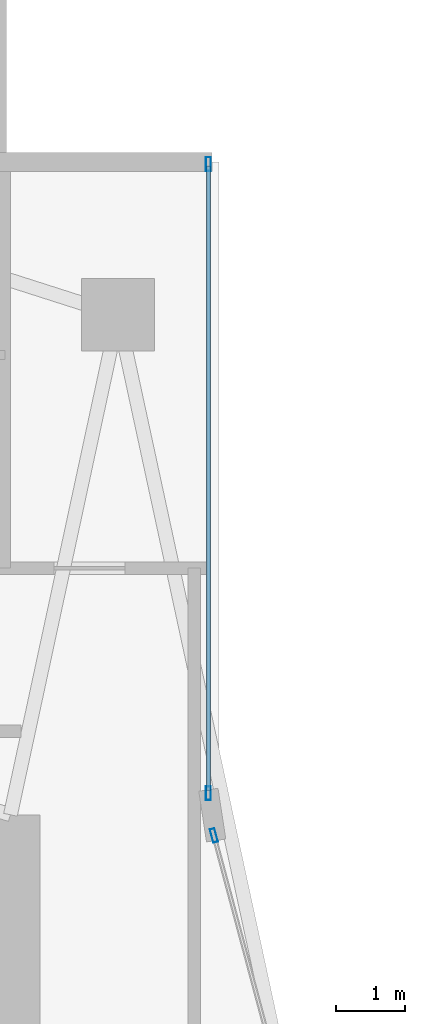
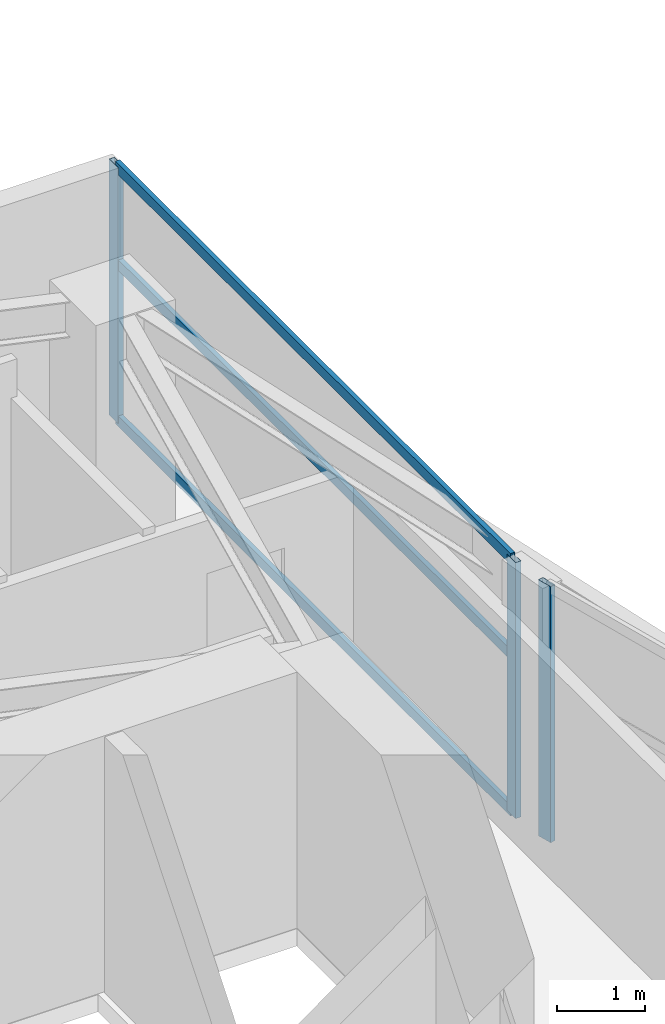
# One storey, part 18 of 28: 6 members, 2 elements without a shape of their own.
"""IFC4 building model written with IfcOpenShell, lengths in metres."""

from ifc_helpers import new_model, si_unit, direction, frame, origin, origin_2d, place, context, subcontext, project, spatial, hollow_rectangle, extrude, material, layer, layer_set, material_profile, profile_set, type_object, element, aggregate, save


model = new_model("IFC4")

# Units and contexts
model_context = context("Model", 3, precision=1e-05, world=origin(), true_north=direction((0.0, 1.0)))
body_context = subcontext(model_context, "Body", "Model", "MODEL_VIEW")
ifc_project = project(units=[si_unit("LENGTHUNIT", "METRE"), si_unit("AREAUNIT", "SQUARE_METRE"), si_unit("VOLUMEUNIT", "CUBIC_METRE"), si_unit("PLANEANGLEUNIT", "RADIAN"), si_unit("MASSUNIT", "GRAM", prefix="KILO")], contexts=[model_context])

# Site, building, storey
site_placement = place(None, origin())
site = spatial("IfcSite", under=ifc_project, at=site_placement, CompositionType="ELEMENT")
building_placement = place(site_placement, origin())
building = spatial("IfcBuilding", under=site, at=building_placement, Name="Calvorn Quay Hotel", CompositionType="ELEMENT")
storey_placement = place(building_placement, frame((0.0, 0.0, 159.89990234375)))
storey = spatial("IfcBuildingStorey", under=building, at=storey_placement, Name="L39", CompositionType="ELEMENT", Elevation=159.89990234375)

# Curtain wall, member
ifc_material_1 = material(Name="Pale Anodised Aluminium and Low-E Glass", Category="aluminium")
ifc_layer = layer(ifc_material_1, 0.219970703125)
ifc_layer_set = layer_set([ifc_layer], Name="CW-SYS-Z2")
curtain_wall_type = type_object("IfcCurtainWallType", Name="CW-SYS-Z2", PredefinedType="NOTDEFINED", material=ifc_layer_set)
curtain_wall_1_placement = place(storey_placement, origin())
curtain_wall_1 = element("IfcCurtainWall", 1, at=curtain_wall_1_placement, inside=storey, type_object=curtain_wall_type, Name="Inner Court Curtain Wall L39-IC1", PredefinedType="NOTDEFINED")
ifc_material_2 = material(Name="Pale Anodised Aluminium 6063-T6", Category="aluminium")
ifc_material_profile_1 = material_profile(ifc_material_2, hollow_rectangle(XDim=0.070068359375, YDim=0.199951171875, WallThickness=0.00390625, at=origin_2d()), Name="ALU-M200x70x4")
ifc_profile_set_1 = profile_set([ifc_material_profile_1], Name="Pale Anodised Aluminium 6063-T6")
member_type_1 = type_object("IfcMemberType", Name="CW-SYS-Z2-MUL", PredefinedType="MULLION", material=ifc_profile_set_1)
member_1_placement = place(storey_placement, frame((17.9296875, 38.10107421875, 0.0), z_axis=(0.0, 0.0, 1.0), x_axis=(-0.96593652056, -0.25877913024, 0.0)))
member_1 = element("IfcMember", 2, at=member_1_placement, type_object=member_type_1, Name="CW-L39-IC1 mullion 2", PredefinedType="MULLION", context=body_context, shape_type="SweptSolid", body=[
    extrude(hollow_rectangle(XDim=0.070068359375, YDim=0.199951171875, WallThickness=0.00390625, at=origin_2d()), origin(), (0.0, 0.0, 1.0), 3.56005859375),
])
aggregate(curtain_wall_1, [member_1])

# Curtain wall, members
curtain_wall_2_placement = place(storey_placement, origin())
curtain_wall_2 = element("IfcCurtainWall", 3, at=curtain_wall_2_placement, inside=storey, type_object=curtain_wall_type, Name="Inner Court Curtain Wall L39-IC2", PredefinedType="NOTDEFINED")
member_2_placement = place(storey_placement, frame((17.85009765625, 38.7099609375, 0.0), z_axis=(0.0, 0.0, 1.0), x_axis=(-1.0, 0.0, 0.0)))
member_2 = element("IfcMember", 4, at=member_2_placement, type_object=member_type_1, Name="CW-L39-IC2 mullion 1", PredefinedType="MULLION", context=body_context, shape_type="SweptSolid", body=[
    extrude(hollow_rectangle(XDim=0.070068359375, YDim=0.199951171875, WallThickness=0.00390625, at=origin_2d()), origin(), (0.0, 0.0, 1.0), 3.56005859375),
])
member_3_placement = place(storey_placement, frame((17.85009765625, 47.77001953125, 0.0), z_axis=(0.0, 0.0, 1.0), x_axis=(-1.0, 0.0, 0.0)))
member_3 = element("IfcMember", 5, at=member_3_placement, type_object=member_type_1, Name="CW-L39-IC2 mullion 2", PredefinedType="MULLION", context=body_context, shape_type="SweptSolid", body=[
    extrude(hollow_rectangle(XDim=0.070068359375, YDim=0.199951171875, WallThickness=0.00390625, at=origin_2d()), origin(), (0.0, 0.0, 1.0), 3.56005859375),
])
ifc_material_3 = material(Name="Pale Anodised Aluminium 6063-T6", Category="aluminium")
ifc_material_profile_2 = material_profile(ifc_material_3, hollow_rectangle(XDim=0.06005859375, YDim=0.14990234375, WallThickness=0.00341796875, at=origin_2d()), Name="ALU-T150x60x3.5")
ifc_profile_set_2 = profile_set([ifc_material_profile_2], Name="Pale Anodised Aluminium 6063-T6")
member_type_2 = type_object("IfcMemberType", Name="CW-SYS-Z2-TRN", PredefinedType="USERDEFINED", material=ifc_profile_set_2)
member_4_placement = place(storey_placement, frame((17.85009765625, 38.739990234375, 0.030029296875), z_axis=(0.0, 1.0, 0.0), x_axis=(-1.0, 0.0, 0.0)))
member_4 = element("IfcMember", 6, at=member_4_placement, type_object=member_type_2, Name="CW-L39-IC2 transom 1.1", ObjectType="TRANSOM", PredefinedType="USERDEFINED", context=body_context, shape_type="SweptSolid", body=[
    extrude(hollow_rectangle(XDim=0.06005859375, YDim=0.14990234375, WallThickness=0.00341796875, at=origin_2d()), origin(), (0.0, 0.0, 1.0), 9.0),
])
member_5_placement = place(storey_placement, frame((17.85009765625, 38.739990234375, 2.2001953125), z_axis=(0.0, 1.0, 0.0), x_axis=(-1.0, 0.0, 0.0)))
member_5 = element("IfcMember", 7, at=member_5_placement, type_object=member_type_2, Name="CW-L39-IC2 transom 1.2", ObjectType="TRANSOM", PredefinedType="USERDEFINED", context=body_context, shape_type="SweptSolid", body=[
    extrude(hollow_rectangle(XDim=0.06005859375, YDim=0.14990234375, WallThickness=0.00341796875, at=origin_2d()), origin(), (0.0, 0.0, 1.0), 9.0),
])
member_6_placement = place(storey_placement, frame((17.85009765625, 38.739990234375, 3.530029296875), z_axis=(0.0, 1.0, 0.0), x_axis=(-1.0, 0.0, 0.0)))
member_6 = element("IfcMember", 8, at=member_6_placement, type_object=member_type_2, Name="CW-L39-IC2 transom 1.3", ObjectType="TRANSOM", PredefinedType="USERDEFINED", context=body_context, shape_type="SweptSolid", body=[
    extrude(hollow_rectangle(XDim=0.06005859375, YDim=0.14990234375, WallThickness=0.00341796875, at=origin_2d()), origin(), (0.0, 0.0, 1.0), 9.0),
])
aggregate(curtain_wall_2, [member_2, member_3, member_4, member_5, member_6])

save(model, "model.ifc")
